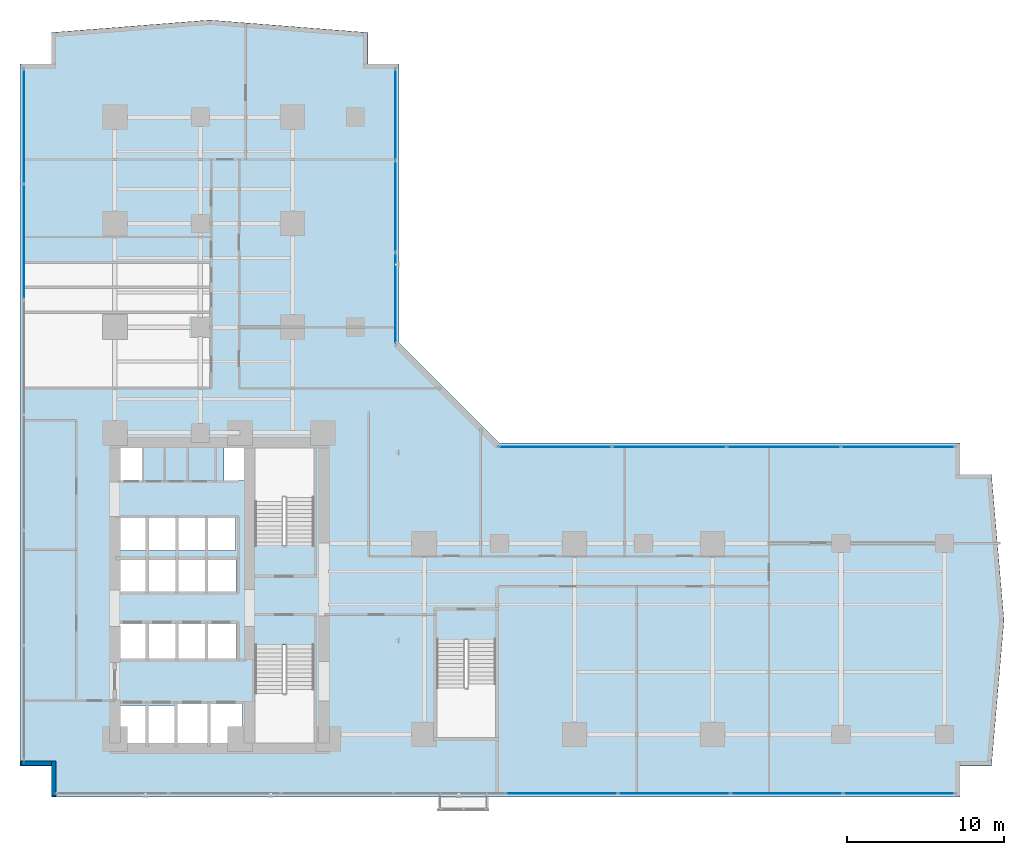
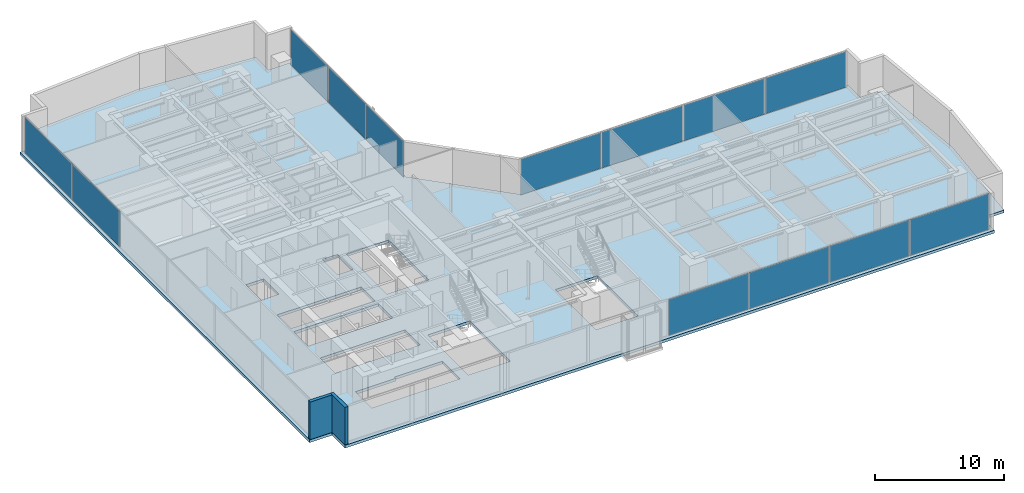
# One storey, part 21 of 26: 13 plates, 2 walls, 1 slab, 4 elements without a shape of their own.
"""IFC4 building model written with IfcOpenShell, lengths in metres."""

from ifc_helpers import new_model, si_unit, direction, frame, frame_2d, origin, origin_with_axes, origin_2d, place, context, subcontext, project, spatial, polyline, rectangle, outline, extrude, source, transform, mapped, material, layer, layer_set, type_object, element, aggregate, save


model = new_model("IFC4")

# Units and contexts
model_context = context("Model", 3, precision=1e-05, world=origin(), true_north=direction((0.0, 1.0)))
body_context = subcontext(model_context, "Body", "Model", "MODEL_VIEW")
ifc_project = project(units=[si_unit("LENGTHUNIT", "METRE"), si_unit("AREAUNIT", "SQUARE_METRE"), si_unit("VOLUMEUNIT", "CUBIC_METRE"), si_unit("PLANEANGLEUNIT", "RADIAN"), si_unit("MASSUNIT", "GRAM", prefix="KILO")], contexts=[model_context])

# Site, building, storey
site_placement = place(None, origin())
site = spatial("IfcSite", under=ifc_project, at=site_placement, CompositionType="ELEMENT")
building_placement = place(site_placement, origin())
building = spatial("IfcBuilding", under=site, at=building_placement, Name="Kolvaren Waterfront Exchange", CompositionType="ELEMENT")
storey_placement = place(building_placement, frame((0.0, 0.0, 48.60009765625)))
storey = spatial("IfcBuildingStorey", under=building, at=storey_placement, Name="L12", CompositionType="ELEMENT", Elevation=48.60009765625)

# Slab
ifc_material_1 = material(Name="Concrete C40/50", Category="concrete")
ifc_layer_1 = layer(ifc_material_1, 0.260009765625, Name="Concrete C40/50")
ifc_layer_set_1 = layer_set([ifc_layer_1], Name="Concrete C40/50")
slab_type = type_object("IfcSlabType", Name="STR-SLAB-260", PredefinedType="FLOOR", material=ifc_layer_set_1)
slab_placement = place(storey_placement, frame((0.0, 0.0, -0.260009765625)))
element("IfcSlab", 1, at=slab_placement, inside=storey, type_object=slab_type, Name="L12 structural floor slab", PredefinedType="FLOOR", context=body_context, shape_type="SweptSolid", body=[
    extrude(outline(polyline([(3.39990234375, 1.199951171875), (61.39990234375, 1.199951171875), (61.39990234375, 3.199951171875), (63.39990234375, 3.199951171875), (64.199951171875, 12.5), (63.39990234375, 21.800048828125), (61.39990234375, 21.800048828125), (61.39990234375, 23.800048828125), (32.0, 23.800048828125), (25.60009765625, 30.199951171875), (25.60009765625, 48.0), (23.60009765625, 48.0), (23.60009765625, 50.0), (13.5, 50.800048828125), (3.39990234375, 50.0), (3.39990234375, 48.0), (1.39990234375, 48.0), (1.39990234375, 3.199951171875), (3.39990234375, 3.199951171875), (3.39990234375, 1.199951171875)]), holes=[polyline([(11.320068359375, 7.260009765625), (15.610107421875, 7.260009765625), (15.610107421875, 4.5400390625), (7.719970703125, 4.5400390625), (7.719970703125, 7.06005859375), (11.320068359375, 7.06005859375), (11.320068359375, 7.260009765625)]), polyline([(20.159912109375, 4.64990234375), (16.39990234375, 4.64990234375), (16.39990234375, 10.89990234375), (20.159912109375, 10.89990234375), (20.159912109375, 4.64990234375)]), polyline([(31.760009765625, 5.0), (28.0, 5.0), (28.0, 11.25), (31.760009765625, 11.25), (31.760009765625, 5.0)]), polyline([(15.2099609375, 10.0400390625), (7.6201171875, 10.0400390625), (7.6201171875, 12.360107421875), (15.2099609375, 12.360107421875), (15.2099609375, 10.0400390625)]), polyline([(7.64501953125, 16.4599609375), (15.18505859375, 16.4599609375), (15.18505859375, 14.239990234375), (7.64501953125, 14.239990234375), (7.64501953125, 16.4599609375)]), polyline([(15.159912109375, 16.93994140625), (7.669921875, 16.93994140625), (7.669921875, 19.06005859375), (15.159912109375, 19.06005859375), (15.159912109375, 16.93994140625)]), polyline([(16.39990234375, 23.5), (20.159912109375, 23.5), (20.159912109375, 17.25), (16.39990234375, 17.25), (16.39990234375, 23.5)]), polyline([(7.60009765625, 23.780029296875), (9.179931640625, 23.780029296875), (9.179931640625, 21.419921875), (7.60009765625, 21.419921875), (7.60009765625, 23.780029296875)]), polyline([(15.800048828125, 23.780029296875), (15.800048828125, 21.419921875), (14.419921875, 21.419921875), (14.419921875, 23.780029296875), (15.800048828125, 23.780029296875)])]), origin(), (0.0, 0.0, 1.0), 0.260009765625),
])

# Curtain wall, plates
ifc_material_2 = material(Name="Anodised bronze aluminium 6063-T6", Category="aluminium")
ifc_layer_2 = layer(ifc_material_2, 0.219970703125, Name="Anodised bronze aluminium 6063-T6")
ifc_layer_set_2 = layer_set([ifc_layer_2], Name="Anodised bronze aluminium 6063-T6")
curtain_wall_type_1 = type_object("IfcCurtainWallType", Name="ARC-CW-SYS1", PredefinedType="USERDEFINED", material=ifc_layer_set_2)
curtain_wall_1_placement = place(storey_placement, origin())
curtain_wall_1 = element("IfcCurtainWall", 2, at=curtain_wall_1_placement, inside=storey, type_object=curtain_wall_type_1, Name="L12 stick curtain wall CW1 (CW-L12-S)", ObjectType="STICK CURTAIN WALL", PredefinedType="USERDEFINED")
ifc_material_3 = material(Name="Bronze solar control vision glass", Category="aluminium")
ifc_layer_3 = layer(ifc_material_3, 0.028076171875, Name="Bronze solar control vision glass")
ifc_layer_set_3 = layer_set([ifc_layer_3], Name="Bronze solar control vision glass")
plate_type_1 = type_object("IfcPlateType", Name="ARC-CWP-28", PredefinedType="CURTAIN_PANEL", material=ifc_layer_set_3)
shared_shape_1 = source(origin_with_axes(), body_context, "Body", "SweptSolid", [
    extrude(rectangle(XDim=7.054931640625, YDim=0.028076171875, at=origin_2d()), origin(), (0.0, 0.0, 1.0), 3.389892578125),
])
plate_1_placement = place(storey_placement, frame((57.492431640625, 1.43994140625, 0.0751953125), z_axis=(0.0, 0.0, 1.0), x_axis=(1.0, 0.0, 0.0)))
plate_1 = element("IfcPlate", 3, at=plate_1_placement, type_object=plate_type_1, Name="CW1 panel 8.1", PredefinedType="CURTAIN_PANEL", context=body_context, shape_type="MappedRepresentation", body=[
    mapped(shared_shape_1, transform((0.0, 0.0, 0.0), x_axis=(1.0, 0.0, 0.0), y_axis=(0.0, 1.0, 0.0), z_axis=(0.0, 0.0, 1.0), scale=1.0)),
])
shared_shape_2 = source(origin_with_axes(), body_context, "Body", "SweptSolid", [
    extrude(rectangle(XDim=7.094970703125, YDim=0.028076171875, at=origin_2d()), origin(), (0.0, 0.0, 1.0), 3.389892578125),
])
plate_2_placement = place(storey_placement, frame((35.987548828125, 1.43994140625, 0.0751953125), z_axis=(0.0, 0.0, 1.0), x_axis=(1.0, 0.0, 0.0)))
plate_2 = element("IfcPlate", 4, at=plate_2_placement, type_object=plate_type_1, Name="CW1 panel 5.1", PredefinedType="CURTAIN_PANEL", context=body_context, shape_type="MappedRepresentation", body=[
    mapped(shared_shape_2, transform((0.0, 0.0, 0.0), x_axis=(1.0, 0.0, 0.0), y_axis=(0.0, 1.0, 0.0), z_axis=(0.0, 0.0, 1.0), scale=1.0)),
])
plate_3_placement = place(storey_placement, frame((43.16259765625, 1.43994140625, 0.0751953125), z_axis=(0.0, 0.0, 1.0), x_axis=(1.0, 0.0, 0.0)))
plate_3 = element("IfcPlate", 5, at=plate_3_placement, type_object=plate_type_1, Name="CW1 panel 6.1", PredefinedType="CURTAIN_PANEL", context=body_context, shape_type="MappedRepresentation", body=[
    mapped(shared_shape_2, transform((0.0, 0.0, 0.0), x_axis=(1.0, 0.0, 0.0), y_axis=(0.0, 1.0, 0.0), z_axis=(0.0, 0.0, 1.0), scale=1.0)),
])
plate_4_placement = place(storey_placement, frame((50.33740234375, 1.43994140625, 0.0751953125), z_axis=(0.0, 0.0, 1.0), x_axis=(1.0, 0.0, 0.0)))
plate_4 = element("IfcPlate", 6, at=plate_4_placement, type_object=plate_type_1, Name="CW1 panel 7.1", PredefinedType="CURTAIN_PANEL", context=body_context, shape_type="MappedRepresentation", body=[
    mapped(shared_shape_2, transform((0.0, 0.0, 0.0), x_axis=(1.0, 0.0, 0.0), y_axis=(0.0, 1.0, 0.0), z_axis=(0.0, 0.0, 1.0), scale=1.0)),
])
aggregate(curtain_wall_1, [plate_2, plate_3, plate_4, plate_1])

ifc_material_4 = material(Name="Anodised aluminium 6063-T6", Category="aluminium")
ifc_layer_4 = layer(ifc_material_4, 0.219970703125, Name="Anodised aluminium 6063-T6")
ifc_layer_set_4 = layer_set([ifc_layer_4], Name="Anodised aluminium 6063-T6")
curtain_wall_type_2 = type_object("IfcCurtainWallType", Name="ARC-CW-SYS2", PredefinedType="USERDEFINED", material=ifc_layer_set_4)
curtain_wall_2_placement = place(storey_placement, origin())
curtain_wall_2 = element("IfcCurtainWall", 7, at=curtain_wall_2_placement, inside=storey, type_object=curtain_wall_type_2, Name="L12 stick curtain wall CW2 (CW-L12-W)", ObjectType="STICK CURTAIN WALL", PredefinedType="USERDEFINED")
ifc_material_5 = material(Name="Acoustic laminated vision glass", Category="glass")
ifc_layer_5 = layer(ifc_material_5, 0.031982421875, Name="Acoustic laminated vision glass")
ifc_layer_set_5 = layer_set([ifc_layer_5], Name="Acoustic laminated vision glass")
plate_type_2 = type_object("IfcPlateType", Name="ARC-CWP-32", PredefinedType="CURTAIN_PANEL", material=ifc_layer_set_5)
shared_shape_3 = source(origin_with_axes(), body_context, "Body", "SweptSolid", [
    extrude(rectangle(XDim=7.24658203125, YDim=0.031982421875, at=origin_2d()), origin(), (0.0, 0.0, 1.0), 3.389892578125),
])
plate_5_placement = place(storey_placement, frame((1.639892578125, 43.99658203125, 0.0751953125), z_axis=(0.0, 0.0, 1.0), x_axis=(0.0, 1.0, 0.0)))
plate_5 = element("IfcPlate", 8, at=plate_5_placement, type_object=plate_type_2, Name="CW2 panel 6.1", PredefinedType="CURTAIN_PANEL", context=body_context, shape_type="MappedRepresentation", body=[
    mapped(shared_shape_3, transform((0.0, 0.0, 0.0), x_axis=(1.0, 0.0, 0.0), y_axis=(0.0, 1.0, 0.0), z_axis=(0.0, 0.0, 1.0), scale=1.0)),
])
shared_shape_4 = source(origin_with_axes(), body_context, "Body", "SweptSolid", [
    extrude(rectangle(XDim=7.28662109375, YDim=0.031982421875, at=origin_2d()), origin(), (0.0, 0.0, 1.0), 3.389892578125),
])
plate_6_placement = place(storey_placement, frame((1.639892578125, 36.64990234375, 0.0751953125), z_axis=(0.0, 0.0, 1.0), x_axis=(0.0, 1.0, 0.0)))
plate_6 = element("IfcPlate", 9, at=plate_6_placement, type_object=plate_type_2, Name="CW2 panel 5.1", PredefinedType="CURTAIN_PANEL", context=body_context, shape_type="MappedRepresentation", body=[
    mapped(shared_shape_4, transform((0.0, 0.0, 0.0), x_axis=(1.0, 0.0, 0.0), y_axis=(0.0, 1.0, 0.0), z_axis=(0.0, 0.0, 1.0), scale=1.0)),
])
aggregate(curtain_wall_2, [plate_6, plate_5])

curtain_wall_3_placement = place(storey_placement, origin())
curtain_wall_3 = element("IfcCurtainWall", 10, at=curtain_wall_3_placement, inside=storey, type_object=curtain_wall_type_1, Name="L12 stick curtain wall CW1 (CW-L12-NE)", ObjectType="STICK CURTAIN WALL", PredefinedType="USERDEFINED")
shared_shape_5 = source(origin_with_axes(), body_context, "Body", "SweptSolid", [
    extrude(rectangle(XDim=5.75, YDim=0.028076171875, at=origin_2d()), origin(), (0.0, 0.0, 1.0), 3.389892578125),
])
plate_7_placement = place(storey_placement, frame((25.360107421875, 33.044921875, 0.0751953125), z_axis=(0.0, 0.0, 1.0), x_axis=(0.0, 1.0, 0.0)))
plate_7 = element("IfcPlate", 11, at=plate_7_placement, type_object=plate_type_1, Name="CW1 panel 1.1", PredefinedType="CURTAIN_PANEL", context=body_context, shape_type="MappedRepresentation", body=[
    mapped(shared_shape_5, transform((0.0, 0.0, 0.0), x_axis=(1.0, 0.0, 0.0), y_axis=(0.0, 1.0, 0.0), z_axis=(0.0, 0.0, 1.0), scale=1.0)),
])
plate_8_placement = place(storey_placement, frame((25.360107421875, 44.7451171875, 0.0751953125), z_axis=(0.0, 0.0, 1.0), x_axis=(0.0, 1.0, 0.0)))
plate_8 = element("IfcPlate", 12, at=plate_8_placement, type_object=plate_type_1, Name="CW1 panel 3.1", PredefinedType="CURTAIN_PANEL", context=body_context, shape_type="MappedRepresentation", body=[
    mapped(shared_shape_5, transform((0.0, 0.0, 0.0), x_axis=(1.0, 0.0, 0.0), y_axis=(0.0, 1.0, 0.0), z_axis=(0.0, 0.0, 1.0), scale=1.0)),
])
shared_shape_6 = source(origin_with_axes(), body_context, "Body", "SweptSolid", [
    extrude(rectangle(XDim=5.7900390625, YDim=0.028076171875, at=origin_2d()), origin(), (0.0, 0.0, 1.0), 3.389892578125),
])
plate_9_placement = place(storey_placement, frame((25.360107421875, 38.89501953125, 0.0751953125), z_axis=(0.0, 0.0, 1.0), x_axis=(0.0, 1.0, 0.0)))
plate_9 = element("IfcPlate", 13, at=plate_9_placement, type_object=plate_type_1, Name="CW1 panel 2.1", PredefinedType="CURTAIN_PANEL", context=body_context, shape_type="MappedRepresentation", body=[
    mapped(shared_shape_6, transform((0.0, 0.0, 0.0), x_axis=(1.0, 0.0, 0.0), y_axis=(0.0, 1.0, 0.0), z_axis=(0.0, 0.0, 1.0), scale=1.0)),
])
aggregate(curtain_wall_3, [plate_7, plate_9, plate_8])

curtain_wall_4_placement = place(storey_placement, origin())
curtain_wall_4 = element("IfcCurtainWall", 14, at=curtain_wall_4_placement, inside=storey, type_object=curtain_wall_type_1, Name="L12 stick curtain wall CW1 (CW-L12-EN)", ObjectType="STICK CURTAIN WALL", PredefinedType="USERDEFINED")
shared_shape_7 = source(origin_with_axes(), body_context, "Body", "SweptSolid", [
    extrude(rectangle(XDim=7.1826171875, YDim=0.028076171875, at=origin_2d()), origin(), (0.0, 0.0, 1.0), 3.389892578125),
])
plate_10_placement = place(storey_placement, frame((35.561279296875, 23.56005859375, 0.0751953125), z_axis=(0.0, 0.0, 1.0), x_axis=(1.0, 0.0, 0.0)))
plate_10 = element("IfcPlate", 15, at=plate_10_placement, type_object=plate_type_1, Name="CW1 panel 1.1", PredefinedType="CURTAIN_PANEL", context=body_context, shape_type="MappedRepresentation", body=[
    mapped(shared_shape_7, transform((0.0, 0.0, 0.0), x_axis=(1.0, 0.0, 0.0), y_axis=(0.0, 1.0, 0.0), z_axis=(0.0, 0.0, 1.0), scale=1.0)),
])
plate_11_placement = place(storey_placement, frame((57.4287109375, 23.56005859375, 0.0751953125), z_axis=(0.0, 0.0, 1.0), x_axis=(1.0, 0.0, 0.0)))
plate_11 = element("IfcPlate", 16, at=plate_11_placement, type_object=plate_type_1, Name="CW1 panel 4.1", PredefinedType="CURTAIN_PANEL", context=body_context, shape_type="MappedRepresentation", body=[
    mapped(shared_shape_7, transform((0.0, 0.0, 0.0), x_axis=(1.0, 0.0, 0.0), y_axis=(0.0, 1.0, 0.0), z_axis=(0.0, 0.0, 1.0), scale=1.0)),
])
shared_shape_8 = source(origin_with_axes(), body_context, "Body", "SweptSolid", [
    extrude(rectangle(XDim=7.222412109375, YDim=0.028076171875, at=origin_2d()), origin(), (0.0, 0.0, 1.0), 3.389892578125),
])
plate_12_placement = place(storey_placement, frame((42.84375, 23.56005859375, 0.0751953125), z_axis=(0.0, 0.0, 1.0), x_axis=(1.0, 0.0, 0.0)))
plate_12 = element("IfcPlate", 17, at=plate_12_placement, type_object=plate_type_1, Name="CW1 panel 2.1", PredefinedType="CURTAIN_PANEL", context=body_context, shape_type="MappedRepresentation", body=[
    mapped(shared_shape_8, transform((0.0, 0.0, 0.0), x_axis=(1.0, 0.0, 0.0), y_axis=(0.0, 1.0, 0.0), z_axis=(0.0, 0.0, 1.0), scale=1.0)),
])
plate_13_placement = place(storey_placement, frame((50.146240234375, 23.56005859375, 0.0751953125), z_axis=(0.0, 0.0, 1.0), x_axis=(1.0, 0.0, 0.0)))
plate_13 = element("IfcPlate", 18, at=plate_13_placement, type_object=plate_type_1, Name="CW1 panel 3.1", PredefinedType="CURTAIN_PANEL", context=body_context, shape_type="MappedRepresentation", body=[
    mapped(shared_shape_8, transform((0.0, 0.0, 0.0), x_axis=(1.0, 0.0, 0.0), y_axis=(0.0, 1.0, 0.0), z_axis=(0.0, 0.0, 1.0), scale=1.0)),
])
aggregate(curtain_wall_4, [plate_10, plate_12, plate_13, plate_11])

# Walls
ifc_material_6 = material(Name="Precast concrete C40/50", Category="concrete")
ifc_layer_6 = layer(ifc_material_6, 0.280029296875, Name="Precast concrete C40/50")
ifc_layer_set_6 = layer_set([ifc_layer_6], Name="Precast concrete C40/50")
wall_type = type_object("IfcWallType", Name="ARC-EXT-TERR-280", PredefinedType="SOLIDWALL", material=ifc_layer_set_6)
wall_1_placement = place(storey_placement, frame((3.56005859375, 1.260009765625, 0.0), z_axis=(0.0, 0.0, 1.0), x_axis=(0.0, 1.0, 0.0)))
element("IfcWall", 19, at=wall_1_placement, inside=storey, type_object=wall_type, Name="L12 notched corner spandrel pier SW-A", PredefinedType="SOLIDWALL", context=body_context, shape_type="SweptSolid", body=[
    extrude(rectangle(XDim=2.239990234375, YDim=0.280029296875, at=frame_2d((1.1201171875, 0.0))), origin(), (0.0, 0.0, 1.0), 3.539794921875),
])
wall_2_placement = place(storey_placement, frame((1.4599609375, 3.360107421875, 0.0), z_axis=(0.0, 0.0, 1.0), x_axis=(1.0, 0.0, 0.0)))
element("IfcWall", 20, at=wall_2_placement, inside=storey, type_object=wall_type, Name="L12 notched corner spandrel pier SW-B", PredefinedType="SOLIDWALL", context=body_context, shape_type="SweptSolid", body=[
    extrude(rectangle(XDim=1.9599609375, YDim=0.280029296875, at=frame_2d((0.97998046875, 0.0))), origin(), (0.0, 0.0, 1.0), 3.539794921875),
])

save(model, "model.ifc")
